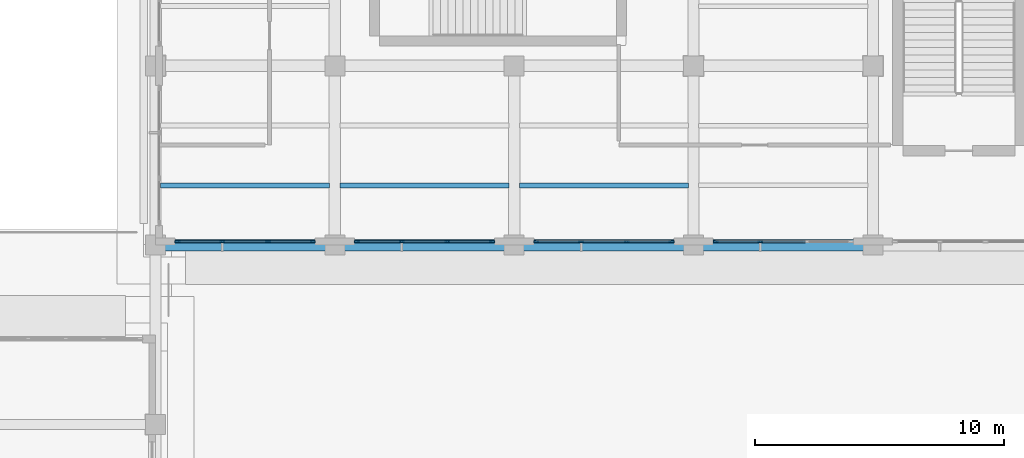
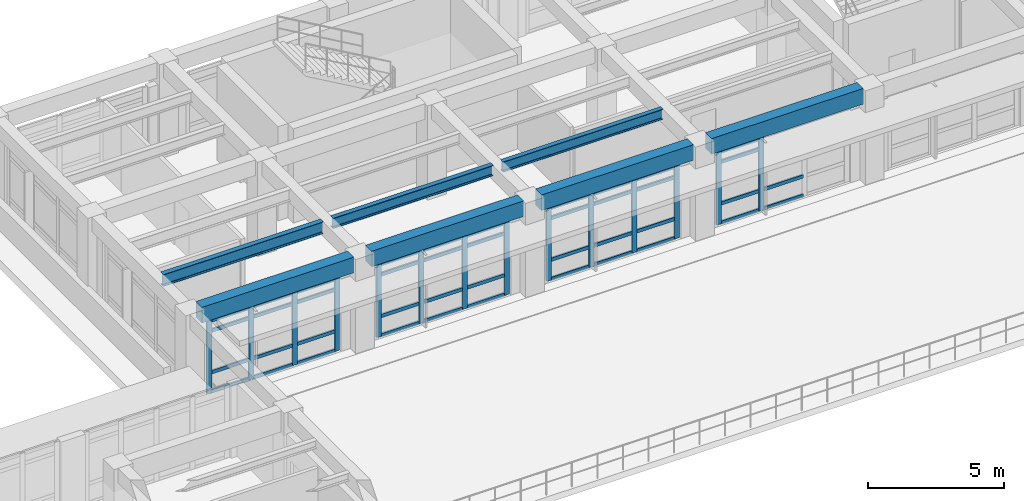
# One storey, part 15 of 67: 56 members, 7 beams, 4 elements without a shape of their own.
"""IFC4 building model written with IfcOpenShell, lengths in metres."""

from ifc_helpers import new_model, si_unit, direction, frame, origin, origin_2d, place, context, subcontext, project, spatial, rectangle, i_section, extrude, material, layer, layer_set, material_profile, profile_set, type_object, element, aggregate, save


model = new_model("IFC4")

# Units and contexts
model_context = context("Model", 3, precision=1e-05, world=origin(), true_north=direction((0.0, 1.0)))
body_context = subcontext(model_context, "Body", "Model", "MODEL_VIEW")
ifc_project = project(units=[si_unit("LENGTHUNIT", "METRE"), si_unit("AREAUNIT", "SQUARE_METRE"), si_unit("VOLUMEUNIT", "CUBIC_METRE"), si_unit("PLANEANGLEUNIT", "RADIAN"), si_unit("MASSUNIT", "GRAM", prefix="KILO")], contexts=[model_context])

# Site, building, storey
site_placement = place(None, origin())
site = spatial("IfcSite", under=ifc_project, at=site_placement, CompositionType="ELEMENT")
building_placement = place(site_placement, origin())
building = spatial("IfcBuilding", under=site, at=building_placement, Name="Solenvale Faculty of Natural Sciences", CompositionType="ELEMENT")
storey_placement = place(building_placement, frame((0.0, 0.0, 13.5)))
storey = spatial("IfcBuildingStorey", under=building, at=storey_placement, Name="L03", CompositionType="ELEMENT", Elevation=13.5)

# Beams
ifc_material_1 = material(Name="Concrete 40 MPa", Category="concrete")
ifc_material_profile_1 = material_profile(ifc_material_1, rectangle(XDim=0.449951171875, YDim=0.699951171875, at=origin_2d()), Name="RC-BM-450x700")
ifc_profile_set_1 = profile_set([ifc_material_profile_1], Name="Concrete 40 MPa")
beam_type_1 = type_object("IfcBeamType", Name="BM-RC-450x700", PredefinedType="BEAM", material=ifc_profile_set_1)
for number, where, z_axis, x_axis, name in (
    (1, (115.580078125, 43.199951171875, 3.8701171875), (1.0, 0.0, 0.0), (0.0, 1.0, 0.0), "L03 X-Girder Y43.2 (115.2..122.4)"),
    (2, (122.780029296875, 43.199951171875, 3.8701171875), (1.0, 0.0, 0.0), (0.0, 1.0, 0.0), "L03 X-Girder Y43.2 (122.4..129.6)"),
    (3, (129.97998046875, 43.199951171875, 3.8701171875), (1.0, 0.0, 0.0), (0.0, 1.0, 0.0), "L03 X-Girder Y43.2 (129.6..136.8)"),
):
    element("IfcBeam", number, at=place(storey_placement, frame(where, z_axis=z_axis, x_axis=x_axis)), inside=storey, type_object=beam_type_1, Name=name, PredefinedType="BEAM", context=body_context, shape_type="SweptSolid", body=[
        extrude(rectangle(XDim=0.449951171875, YDim=0.699951171875, at=origin_2d()), origin(), (0.0, 0.0, 1.0), 6.43994140625),
    ])
beam_1_placement = place(storey_placement, frame((137.179931640625, 43.199951171875, 3.8701171875), z_axis=(1.0, 0.0, 0.0), x_axis=(0.0, 1.0, 0.0)))
element("IfcBeam", 4, at=beam_1_placement, inside=storey, type_object=beam_type_1, Name="L03 X-Girder Y43.2 (136.8..144.0)", PredefinedType="BEAM", context=body_context, shape_type="SweptSolid", body=[
    extrude(rectangle(XDim=0.449951171875, YDim=0.699951171875, at=origin_2d()), origin(), (0.0, 0.0, 1.0), 6.440185546875),
])
ifc_material_2 = material(Name="Steel S355", Category="steel")
ifc_material_profile_2 = material_profile(ifc_material_2, i_section(OverallWidth=0.194091796875, OverallDepth=0.468994140625, WebThickness=0.0126953125, FlangeThickness=0.0205078125, FilletRadius=0.01806640625, at=origin_2d()), Name="W460x106")
ifc_profile_set_2 = profile_set([ifc_material_profile_2], Name="Steel S355")
beam_type_2 = type_object("IfcBeamType", Name="BM-STL-W460x106", PredefinedType="JOIST", material=ifc_profile_set_2)
beam_2_placement = place(storey_placement, frame((122.60498046875, 45.60009765625, 3.985595703125), z_axis=(1.0, 0.0, 0.0), x_axis=(0.0, 1.0, 0.0)))
element("IfcBeam", 5, at=beam_2_placement, inside=storey, type_object=beam_type_2, Name="L03 Composite Floor Joist (18,7).1", PredefinedType="JOIST", context=body_context, shape_type="SweptSolid", body=[
    extrude(i_section(OverallWidth=0.194091796875, OverallDepth=0.468994140625, WebThickness=0.0126953125, FlangeThickness=0.0205078125, FilletRadius=0.01806640625, at=origin_2d()), origin(), (0.0, 0.0, 1.0), 6.7900390625),
])
ifc_material_profile_3 = material_profile(ifc_material_2, i_section(OverallWidth=0.19091796875, OverallDepth=0.4599609375, WebThickness=0.010009765625, FlangeThickness=0.01611328125, FilletRadius=0.01806640625, at=origin_2d()), Name="W460x82")
ifc_profile_set_3 = profile_set([ifc_material_profile_3], Name="Steel S355")
beam_type_3 = type_object("IfcBeamType", Name="BM-STL-W460x82", PredefinedType="JOIST", material=ifc_profile_set_3)
beam_3_placement = place(storey_placement, frame((129.804931640625, 45.60009765625, 3.989990234375), z_axis=(1.0, 0.0, 0.0), x_axis=(0.0, 1.0, 0.0)))
element("IfcBeam", 6, at=beam_3_placement, inside=storey, type_object=beam_type_3, Name="L03 Composite Floor Joist (19,7).1", PredefinedType="JOIST", context=body_context, shape_type="SweptSolid", body=[
    extrude(i_section(OverallWidth=0.19091796875, OverallDepth=0.4599609375, WebThickness=0.010009765625, FlangeThickness=0.01611328125, FilletRadius=0.01806640625, at=origin_2d()), origin(), (0.0, 0.0, 1.0), 6.7900390625),
])
ifc_material_profile_4 = material_profile(ifc_material_2, i_section(OverallWidth=0.208984375, OverallDepth=0.532958984375, WebThickness=0.01025390625, FlangeThickness=0.015625, FilletRadius=0.01904296875, at=origin_2d()), Name="W530x92")
ifc_profile_set_4 = profile_set([ifc_material_profile_4], Name="Steel S355")
beam_type_4 = type_object("IfcBeamType", Name="BM-STL-W530x92", PredefinedType="JOIST", material=ifc_profile_set_4)
beam_4_placement = place(storey_placement, frame((115.405029296875, 45.60009765625, 3.95361328125), z_axis=(1.0, 0.0, 0.0), x_axis=(0.0, 1.0, 0.0)))
element("IfcBeam", 7, at=beam_4_placement, inside=storey, type_object=beam_type_4, Name="L03 Composite Floor Joist (17,7).1", PredefinedType="JOIST", context=body_context, shape_type="SweptSolid", body=[
    extrude(i_section(OverallWidth=0.208984375, OverallDepth=0.532958984375, WebThickness=0.01025390625, FlangeThickness=0.015625, FilletRadius=0.01904296875, at=origin_2d()), origin(), (0.0, 0.0, 1.0), 6.7900390625),
])

# Curtain wall, members
ifc_material_3 = material(Name="Anodised bronze aluminium", Category="aluminium")
ifc_layer = layer(ifc_material_3, 0.199951171875)
ifc_layer_set = layer_set([ifc_layer], Name="Anodised bronze aluminium")
curtain_wall_type = type_object("IfcCurtainWallType", Name="CW-COM-FIN", PredefinedType="USERDEFINED", material=ifc_layer_set)
curtain_wall_1_placement = place(storey_placement, origin())
curtain_wall_1 = element("IfcCurtainWall", 8, at=curtain_wall_1_placement, inside=storey, type_object=curtain_wall_type, Name="L03 Curtain Wall CW-L03-P2-E1-B1", ObjectType="UNITISED CURTAIN WALL", PredefinedType="USERDEFINED")
ifc_material_profile_5 = material_profile(ifc_material_3, rectangle(XDim=0.074951171875, YDim=0.2099609375, at=origin_2d()), Name="ALU-MUL-75x210")
ifc_profile_set_5 = profile_set([ifc_material_profile_5], Name="Anodised bronze aluminium")
member_type_1 = type_object("IfcMemberType", Name="CWM-ALU-75x210", PredefinedType="MULLION", material=ifc_profile_set_5)
member_1_placement = place(storey_placement, frame((116.08740234375, 43.342529296875, 0.0), z_axis=(0.0, 0.0, 1.0), x_axis=(0.0, 1.0, 0.0)))
member_1 = element("IfcMember", 9, at=member_1_placement, type_object=member_type_1, Name="CW-03 mullion 1", PredefinedType="MULLION", context=body_context, shape_type="SweptSolid", body=[
    extrude(rectangle(XDim=0.074951171875, YDim=0.2099609375, at=origin_2d()), origin(), (0.0, 0.0, 1.0), 3.260009765625),
])
member_2_placement = place(storey_placement, frame((117.88330078125, 43.342529296875, 0.0), z_axis=(0.0, 0.0, 1.0), x_axis=(0.0, 1.0, 0.0)))
member_2 = element("IfcMember", 10, at=member_2_placement, type_object=member_type_1, Name="CW-03 mullion 2", PredefinedType="MULLION", context=body_context, shape_type="SweptSolid", body=[
    extrude(rectangle(XDim=0.074951171875, YDim=0.2099609375, at=origin_2d()), origin(), (0.0, 0.0, 1.0), 3.260009765625),
])
member_3_placement = place(storey_placement, frame((119.716552734375, 43.342529296875, 0.0), z_axis=(0.0, 0.0, 1.0), x_axis=(0.0, 1.0, 0.0)))
member_3 = element("IfcMember", 11, at=member_3_placement, type_object=member_type_1, Name="CW-03 mullion 3", PredefinedType="MULLION", context=body_context, shape_type="SweptSolid", body=[
    extrude(rectangle(XDim=0.074951171875, YDim=0.2099609375, at=origin_2d()), origin(), (0.0, 0.0, 1.0), 3.260009765625),
])
member_4_placement = place(storey_placement, frame((121.512451171875, 43.342529296875, 0.0), z_axis=(0.0, 0.0, 1.0), x_axis=(0.0, 1.0, 0.0)))
member_4 = element("IfcMember", 12, at=member_4_placement, type_object=member_type_1, Name="CW-03 mullion 4", PredefinedType="MULLION", context=body_context, shape_type="SweptSolid", body=[
    extrude(rectangle(XDim=0.074951171875, YDim=0.2099609375, at=origin_2d()), origin(), (0.0, 0.0, 1.0), 3.260009765625),
])

curtain_wall_2_placement = place(storey_placement, origin())
curtain_wall_2 = element("IfcCurtainWall", 13, at=curtain_wall_2_placement, inside=storey, type_object=curtain_wall_type, Name="L03 Curtain Wall CW-L03-P2-E1-B2", ObjectType="UNITISED CURTAIN WALL", PredefinedType="USERDEFINED")
member_5_placement = place(storey_placement, frame((123.28759765625, 43.342529296875, 0.0), z_axis=(0.0, 0.0, 1.0), x_axis=(0.0, 1.0, 0.0)))
member_5 = element("IfcMember", 14, at=member_5_placement, type_object=member_type_1, Name="CW-03 mullion 1", PredefinedType="MULLION", context=body_context, shape_type="SweptSolid", body=[
    extrude(rectangle(XDim=0.074951171875, YDim=0.2099609375, at=origin_2d()), origin(), (0.0, 0.0, 1.0), 3.260009765625),
])
member_6_placement = place(storey_placement, frame((125.083251953125, 43.342529296875, 0.0), z_axis=(0.0, 0.0, 1.0), x_axis=(0.0, 1.0, 0.0)))
member_6 = element("IfcMember", 15, at=member_6_placement, type_object=member_type_1, Name="CW-03 mullion 2", PredefinedType="MULLION", context=body_context, shape_type="SweptSolid", body=[
    extrude(rectangle(XDim=0.074951171875, YDim=0.2099609375, at=origin_2d()), origin(), (0.0, 0.0, 1.0), 3.260009765625),
])
member_7_placement = place(storey_placement, frame((126.916748046875, 43.342529296875, 0.0), z_axis=(0.0, 0.0, 1.0), x_axis=(0.0, 1.0, 0.0)))
member_7 = element("IfcMember", 16, at=member_7_placement, type_object=member_type_1, Name="CW-03 mullion 3", PredefinedType="MULLION", context=body_context, shape_type="SweptSolid", body=[
    extrude(rectangle(XDim=0.074951171875, YDim=0.2099609375, at=origin_2d()), origin(), (0.0, 0.0, 1.0), 3.260009765625),
])
member_8_placement = place(storey_placement, frame((128.71240234375, 43.342529296875, 0.0), z_axis=(0.0, 0.0, 1.0), x_axis=(0.0, 1.0, 0.0)))
member_8 = element("IfcMember", 17, at=member_8_placement, type_object=member_type_1, Name="CW-03 mullion 4", PredefinedType="MULLION", context=body_context, shape_type="SweptSolid", body=[
    extrude(rectangle(XDim=0.074951171875, YDim=0.2099609375, at=origin_2d()), origin(), (0.0, 0.0, 1.0), 3.260009765625),
])

curtain_wall_3_placement = place(storey_placement, origin())
curtain_wall_3 = element("IfcCurtainWall", 18, at=curtain_wall_3_placement, inside=storey, type_object=curtain_wall_type, Name="L03 Curtain Wall CW-L03-P2-E1-B3", ObjectType="UNITISED CURTAIN WALL", PredefinedType="USERDEFINED")
member_9_placement = place(storey_placement, frame((130.487548828125, 43.342529296875, 0.0), z_axis=(0.0, 0.0, 1.0), x_axis=(0.0, 1.0, 0.0)))
member_9 = element("IfcMember", 19, at=member_9_placement, type_object=member_type_1, Name="CW-03 mullion 1", PredefinedType="MULLION", context=body_context, shape_type="SweptSolid", body=[
    extrude(rectangle(XDim=0.074951171875, YDim=0.2099609375, at=origin_2d()), origin(), (0.0, 0.0, 1.0), 3.260009765625),
])
member_10_placement = place(storey_placement, frame((132.283447265625, 43.342529296875, 0.0), z_axis=(0.0, 0.0, 1.0), x_axis=(0.0, 1.0, 0.0)))
member_10 = element("IfcMember", 20, at=member_10_placement, type_object=member_type_1, Name="CW-03 mullion 2", PredefinedType="MULLION", context=body_context, shape_type="SweptSolid", body=[
    extrude(rectangle(XDim=0.074951171875, YDim=0.2099609375, at=origin_2d()), origin(), (0.0, 0.0, 1.0), 3.260009765625),
])
member_11_placement = place(storey_placement, frame((134.11669921875, 43.342529296875, 0.0), z_axis=(0.0, 0.0, 1.0), x_axis=(0.0, 1.0, 0.0)))
member_11 = element("IfcMember", 21, at=member_11_placement, type_object=member_type_1, Name="CW-03 mullion 3", PredefinedType="MULLION", context=body_context, shape_type="SweptSolid", body=[
    extrude(rectangle(XDim=0.074951171875, YDim=0.2099609375, at=origin_2d()), origin(), (0.0, 0.0, 1.0), 3.260009765625),
])
member_12_placement = place(storey_placement, frame((135.91259765625, 43.342529296875, 0.0), z_axis=(0.0, 0.0, 1.0), x_axis=(0.0, 1.0, 0.0)))
member_12 = element("IfcMember", 22, at=member_12_placement, type_object=member_type_1, Name="CW-03 mullion 4", PredefinedType="MULLION", context=body_context, shape_type="SweptSolid", body=[
    extrude(rectangle(XDim=0.074951171875, YDim=0.2099609375, at=origin_2d()), origin(), (0.0, 0.0, 1.0), 3.260009765625),
])

curtain_wall_4_placement = place(storey_placement, origin())
curtain_wall_4 = element("IfcCurtainWall", 23, at=curtain_wall_4_placement, inside=storey, type_object=curtain_wall_type, Name="L03 Curtain Wall CW-L03-P2-E1-B4", ObjectType="UNITISED CURTAIN WALL", PredefinedType="USERDEFINED")
member_13_placement = place(storey_placement, frame((137.6875, 43.342529296875, 0.0), z_axis=(0.0, 0.0, 1.0), x_axis=(0.0, 1.0, 0.0)))
member_13 = element("IfcMember", 24, at=member_13_placement, type_object=member_type_1, Name="CW-03 mullion 1", PredefinedType="MULLION", context=body_context, shape_type="SweptSolid", body=[
    extrude(rectangle(XDim=0.074951171875, YDim=0.2099609375, at=origin_2d()), origin(), (0.0, 0.0, 1.0), 3.260009765625),
])
member_14_placement = place(storey_placement, frame((139.4833984375, 43.342529296875, 0.0), z_axis=(0.0, 0.0, 1.0), x_axis=(0.0, 1.0, 0.0)))
member_14 = element("IfcMember", 25, at=member_14_placement, type_object=member_type_1, Name="CW-03 mullion 2", PredefinedType="MULLION", context=body_context, shape_type="SweptSolid", body=[
    extrude(rectangle(XDim=0.074951171875, YDim=0.2099609375, at=origin_2d()), origin(), (0.0, 0.0, 1.0), 3.260009765625),
])

# Member
ifc_material_profile_6 = material_profile(ifc_material_3, rectangle(XDim=0.074951171875, YDim=0.155029296875, at=origin_2d()), Name="ALU-TRN-75x155")
ifc_profile_set_6 = profile_set([ifc_material_profile_6], Name="Anodised bronze aluminium")
member_type_2 = type_object("IfcMemberType", Name="CWT-ALU-75x155", PredefinedType="USERDEFINED", material=ifc_profile_set_6)
member_15_placement = place(storey_placement, frame((116.125, 43.342529296875, 0.03759765625), z_axis=(1.0, 0.0, 0.0), x_axis=(0.0, 1.0, 0.0)))
member_15 = element("IfcMember", 26, at=member_15_placement, type_object=member_type_2, Name="CW-03 transom 1.1", ObjectType="TRANSOM", PredefinedType="USERDEFINED", context=body_context, shape_type="SweptSolid", body=[
    extrude(rectangle(XDim=0.074951171875, YDim=0.155029296875, at=origin_2d()), origin(), (0.0, 0.0, 1.0), 1.720947265625),
])

member_16_placement = place(storey_placement, frame((116.125, 43.342529296875, 0.89990234375), z_axis=(1.0, 0.0, 0.0), x_axis=(0.0, 1.0, 0.0)))
member_16 = element("IfcMember", 27, at=member_16_placement, type_object=member_type_2, Name="CW-03 transom 1.2", ObjectType="TRANSOM", PredefinedType="USERDEFINED", context=body_context, shape_type="SweptSolid", body=[
    extrude(rectangle(XDim=0.074951171875, YDim=0.155029296875, at=origin_2d()), origin(), (0.0, 0.0, 1.0), 1.720947265625),
])

member_17_placement = place(storey_placement, frame((116.125, 43.342529296875, 2.760009765625), z_axis=(1.0, 0.0, 0.0), x_axis=(0.0, 1.0, 0.0)))
member_17 = element("IfcMember", 28, at=member_17_placement, type_object=member_type_2, Name="CW-03 transom 1.3", ObjectType="TRANSOM", PredefinedType="USERDEFINED", context=body_context, shape_type="SweptSolid", body=[
    extrude(rectangle(XDim=0.074951171875, YDim=0.155029296875, at=origin_2d()), origin(), (0.0, 0.0, 1.0), 1.720947265625),
])

member_18_placement = place(storey_placement, frame((116.125, 43.342529296875, 3.222412109375), z_axis=(1.0, 0.0, 0.0), x_axis=(0.0, 1.0, 0.0)))
member_18 = element("IfcMember", 29, at=member_18_placement, type_object=member_type_2, Name="CW-03 transom 1.4", ObjectType="TRANSOM", PredefinedType="USERDEFINED", context=body_context, shape_type="SweptSolid", body=[
    extrude(rectangle(XDim=0.074951171875, YDim=0.155029296875, at=origin_2d()), origin(), (0.0, 0.0, 1.0), 1.720947265625),
])

member_19_placement = place(storey_placement, frame((117.9208984375, 43.342529296875, 0.03759765625), z_axis=(1.0, 0.0, 0.0), x_axis=(0.0, 1.0, 0.0)))
member_19 = element("IfcMember", 30, at=member_19_placement, type_object=member_type_2, Name="CW-03 transom 2.1", ObjectType="TRANSOM", PredefinedType="USERDEFINED", context=body_context, shape_type="SweptSolid", body=[
    extrude(rectangle(XDim=0.074951171875, YDim=0.155029296875, at=origin_2d()), origin(), (0.0, 0.0, 1.0), 1.75830078125),
])

member_20_placement = place(storey_placement, frame((117.9208984375, 43.342529296875, 0.89990234375), z_axis=(1.0, 0.0, 0.0), x_axis=(0.0, 1.0, 0.0)))
member_20 = element("IfcMember", 31, at=member_20_placement, type_object=member_type_2, Name="CW-03 transom 2.2", ObjectType="TRANSOM", PredefinedType="USERDEFINED", context=body_context, shape_type="SweptSolid", body=[
    extrude(rectangle(XDim=0.074951171875, YDim=0.155029296875, at=origin_2d()), origin(), (0.0, 0.0, 1.0), 1.75830078125),
])

member_21_placement = place(storey_placement, frame((117.9208984375, 43.342529296875, 2.760009765625), z_axis=(1.0, 0.0, 0.0), x_axis=(0.0, 1.0, 0.0)))
member_21 = element("IfcMember", 32, at=member_21_placement, type_object=member_type_2, Name="CW-03 transom 2.3", ObjectType="TRANSOM", PredefinedType="USERDEFINED", context=body_context, shape_type="SweptSolid", body=[
    extrude(rectangle(XDim=0.074951171875, YDim=0.155029296875, at=origin_2d()), origin(), (0.0, 0.0, 1.0), 1.75830078125),
])

member_22_placement = place(storey_placement, frame((117.9208984375, 43.342529296875, 3.222412109375), z_axis=(1.0, 0.0, 0.0), x_axis=(0.0, 1.0, 0.0)))
member_22 = element("IfcMember", 33, at=member_22_placement, type_object=member_type_2, Name="CW-03 transom 2.4", ObjectType="TRANSOM", PredefinedType="USERDEFINED", context=body_context, shape_type="SweptSolid", body=[
    extrude(rectangle(XDim=0.074951171875, YDim=0.155029296875, at=origin_2d()), origin(), (0.0, 0.0, 1.0), 1.75830078125),
])

member_23_placement = place(storey_placement, frame((119.754150390625, 43.342529296875, 0.03759765625), z_axis=(1.0, 0.0, 0.0), x_axis=(0.0, 1.0, 0.0)))
member_23 = element("IfcMember", 34, at=member_23_placement, type_object=member_type_2, Name="CW-03 transom 3.1", ObjectType="TRANSOM", PredefinedType="USERDEFINED", context=body_context, shape_type="SweptSolid", body=[
    extrude(rectangle(XDim=0.074951171875, YDim=0.155029296875, at=origin_2d()), origin(), (0.0, 0.0, 1.0), 1.720947265625),
])

member_24_placement = place(storey_placement, frame((119.754150390625, 43.342529296875, 0.89990234375), z_axis=(1.0, 0.0, 0.0), x_axis=(0.0, 1.0, 0.0)))
member_24 = element("IfcMember", 35, at=member_24_placement, type_object=member_type_2, Name="CW-03 transom 3.2", ObjectType="TRANSOM", PredefinedType="USERDEFINED", context=body_context, shape_type="SweptSolid", body=[
    extrude(rectangle(XDim=0.074951171875, YDim=0.155029296875, at=origin_2d()), origin(), (0.0, 0.0, 1.0), 1.720947265625),
])

member_25_placement = place(storey_placement, frame((119.754150390625, 43.342529296875, 2.760009765625), z_axis=(1.0, 0.0, 0.0), x_axis=(0.0, 1.0, 0.0)))
member_25 = element("IfcMember", 36, at=member_25_placement, type_object=member_type_2, Name="CW-03 transom 3.3", ObjectType="TRANSOM", PredefinedType="USERDEFINED", context=body_context, shape_type="SweptSolid", body=[
    extrude(rectangle(XDim=0.074951171875, YDim=0.155029296875, at=origin_2d()), origin(), (0.0, 0.0, 1.0), 1.720947265625),
])

member_26_placement = place(storey_placement, frame((119.754150390625, 43.342529296875, 3.222412109375), z_axis=(1.0, 0.0, 0.0), x_axis=(0.0, 1.0, 0.0)))
member_26 = element("IfcMember", 37, at=member_26_placement, type_object=member_type_2, Name="CW-03 transom 3.4", ObjectType="TRANSOM", PredefinedType="USERDEFINED", context=body_context, shape_type="SweptSolid", body=[
    extrude(rectangle(XDim=0.074951171875, YDim=0.155029296875, at=origin_2d()), origin(), (0.0, 0.0, 1.0), 1.720947265625),
])

aggregate(curtain_wall_1, [member_1, member_2, member_3, member_4, member_15, member_16, member_17, member_18, member_19, member_20, member_21, member_22, member_23, member_24, member_25, member_26])

member_27_placement = place(storey_placement, frame((123.324951171875, 43.342529296875, 0.03759765625), z_axis=(1.0, 0.0, 0.0), x_axis=(0.0, 1.0, 0.0)))
member_27 = element("IfcMember", 38, at=member_27_placement, type_object=member_type_2, Name="CW-03 transom 1.1", ObjectType="TRANSOM", PredefinedType="USERDEFINED", context=body_context, shape_type="SweptSolid", body=[
    extrude(rectangle(XDim=0.074951171875, YDim=0.155029296875, at=origin_2d()), origin(), (0.0, 0.0, 1.0), 1.720947265625),
])

member_28_placement = place(storey_placement, frame((123.324951171875, 43.342529296875, 0.89990234375), z_axis=(1.0, 0.0, 0.0), x_axis=(0.0, 1.0, 0.0)))
member_28 = element("IfcMember", 39, at=member_28_placement, type_object=member_type_2, Name="CW-03 transom 1.2", ObjectType="TRANSOM", PredefinedType="USERDEFINED", context=body_context, shape_type="SweptSolid", body=[
    extrude(rectangle(XDim=0.074951171875, YDim=0.155029296875, at=origin_2d()), origin(), (0.0, 0.0, 1.0), 1.720947265625),
])

member_29_placement = place(storey_placement, frame((123.324951171875, 43.342529296875, 2.760009765625), z_axis=(1.0, 0.0, 0.0), x_axis=(0.0, 1.0, 0.0)))
member_29 = element("IfcMember", 40, at=member_29_placement, type_object=member_type_2, Name="CW-03 transom 1.3", ObjectType="TRANSOM", PredefinedType="USERDEFINED", context=body_context, shape_type="SweptSolid", body=[
    extrude(rectangle(XDim=0.074951171875, YDim=0.155029296875, at=origin_2d()), origin(), (0.0, 0.0, 1.0), 1.720947265625),
])

member_30_placement = place(storey_placement, frame((123.324951171875, 43.342529296875, 3.222412109375), z_axis=(1.0, 0.0, 0.0), x_axis=(0.0, 1.0, 0.0)))
member_30 = element("IfcMember", 41, at=member_30_placement, type_object=member_type_2, Name="CW-03 transom 1.4", ObjectType="TRANSOM", PredefinedType="USERDEFINED", context=body_context, shape_type="SweptSolid", body=[
    extrude(rectangle(XDim=0.074951171875, YDim=0.155029296875, at=origin_2d()), origin(), (0.0, 0.0, 1.0), 1.720947265625),
])

member_31_placement = place(storey_placement, frame((125.120849609375, 43.342529296875, 0.03759765625), z_axis=(1.0, 0.0, 0.0), x_axis=(0.0, 1.0, 0.0)))
member_31 = element("IfcMember", 42, at=member_31_placement, type_object=member_type_2, Name="CW-03 transom 2.1", ObjectType="TRANSOM", PredefinedType="USERDEFINED", context=body_context, shape_type="SweptSolid", body=[
    extrude(rectangle(XDim=0.074951171875, YDim=0.155029296875, at=origin_2d()), origin(), (0.0, 0.0, 1.0), 1.75830078125),
])

member_32_placement = place(storey_placement, frame((125.120849609375, 43.342529296875, 0.89990234375), z_axis=(1.0, 0.0, 0.0), x_axis=(0.0, 1.0, 0.0)))
member_32 = element("IfcMember", 43, at=member_32_placement, type_object=member_type_2, Name="CW-03 transom 2.2", ObjectType="TRANSOM", PredefinedType="USERDEFINED", context=body_context, shape_type="SweptSolid", body=[
    extrude(rectangle(XDim=0.074951171875, YDim=0.155029296875, at=origin_2d()), origin(), (0.0, 0.0, 1.0), 1.75830078125),
])

member_33_placement = place(storey_placement, frame((125.120849609375, 43.342529296875, 2.760009765625), z_axis=(1.0, 0.0, 0.0), x_axis=(0.0, 1.0, 0.0)))
member_33 = element("IfcMember", 44, at=member_33_placement, type_object=member_type_2, Name="CW-03 transom 2.3", ObjectType="TRANSOM", PredefinedType="USERDEFINED", context=body_context, shape_type="SweptSolid", body=[
    extrude(rectangle(XDim=0.074951171875, YDim=0.155029296875, at=origin_2d()), origin(), (0.0, 0.0, 1.0), 1.75830078125),
])

member_34_placement = place(storey_placement, frame((125.120849609375, 43.342529296875, 3.222412109375), z_axis=(1.0, 0.0, 0.0), x_axis=(0.0, 1.0, 0.0)))
member_34 = element("IfcMember", 45, at=member_34_placement, type_object=member_type_2, Name="CW-03 transom 2.4", ObjectType="TRANSOM", PredefinedType="USERDEFINED", context=body_context, shape_type="SweptSolid", body=[
    extrude(rectangle(XDim=0.074951171875, YDim=0.155029296875, at=origin_2d()), origin(), (0.0, 0.0, 1.0), 1.75830078125),
])

member_35_placement = place(storey_placement, frame((126.9541015625, 43.342529296875, 0.03759765625), z_axis=(1.0, 0.0, 0.0), x_axis=(0.0, 1.0, 0.0)))
member_35 = element("IfcMember", 46, at=member_35_placement, type_object=member_type_2, Name="CW-03 transom 3.1", ObjectType="TRANSOM", PredefinedType="USERDEFINED", context=body_context, shape_type="SweptSolid", body=[
    extrude(rectangle(XDim=0.074951171875, YDim=0.155029296875, at=origin_2d()), origin(), (0.0, 0.0, 1.0), 1.720947265625),
])

member_36_placement = place(storey_placement, frame((126.9541015625, 43.342529296875, 0.89990234375), z_axis=(1.0, 0.0, 0.0), x_axis=(0.0, 1.0, 0.0)))
member_36 = element("IfcMember", 47, at=member_36_placement, type_object=member_type_2, Name="CW-03 transom 3.2", ObjectType="TRANSOM", PredefinedType="USERDEFINED", context=body_context, shape_type="SweptSolid", body=[
    extrude(rectangle(XDim=0.074951171875, YDim=0.155029296875, at=origin_2d()), origin(), (0.0, 0.0, 1.0), 1.720947265625),
])

member_37_placement = place(storey_placement, frame((126.9541015625, 43.342529296875, 2.760009765625), z_axis=(1.0, 0.0, 0.0), x_axis=(0.0, 1.0, 0.0)))
member_37 = element("IfcMember", 48, at=member_37_placement, type_object=member_type_2, Name="CW-03 transom 3.3", ObjectType="TRANSOM", PredefinedType="USERDEFINED", context=body_context, shape_type="SweptSolid", body=[
    extrude(rectangle(XDim=0.074951171875, YDim=0.155029296875, at=origin_2d()), origin(), (0.0, 0.0, 1.0), 1.720947265625),
])

member_38_placement = place(storey_placement, frame((126.9541015625, 43.342529296875, 3.222412109375), z_axis=(1.0, 0.0, 0.0), x_axis=(0.0, 1.0, 0.0)))
member_38 = element("IfcMember", 49, at=member_38_placement, type_object=member_type_2, Name="CW-03 transom 3.4", ObjectType="TRANSOM", PredefinedType="USERDEFINED", context=body_context, shape_type="SweptSolid", body=[
    extrude(rectangle(XDim=0.074951171875, YDim=0.155029296875, at=origin_2d()), origin(), (0.0, 0.0, 1.0), 1.720947265625),
])

aggregate(curtain_wall_2, [member_5, member_6, member_7, member_8, member_27, member_28, member_29, member_30, member_31, member_32, member_33, member_34, member_35, member_36, member_37, member_38])

member_39_placement = place(storey_placement, frame((130.52490234375, 43.342529296875, 0.03759765625), z_axis=(1.0, 0.0, 0.0), x_axis=(0.0, 1.0, 0.0)))
member_39 = element("IfcMember", 50, at=member_39_placement, type_object=member_type_2, Name="CW-03 transom 1.1", ObjectType="TRANSOM", PredefinedType="USERDEFINED", context=body_context, shape_type="SweptSolid", body=[
    extrude(rectangle(XDim=0.074951171875, YDim=0.155029296875, at=origin_2d()), origin(), (0.0, 0.0, 1.0), 1.720947265625),
])

member_40_placement = place(storey_placement, frame((130.52490234375, 43.342529296875, 0.89990234375), z_axis=(1.0, 0.0, 0.0), x_axis=(0.0, 1.0, 0.0)))
member_40 = element("IfcMember", 51, at=member_40_placement, type_object=member_type_2, Name="CW-03 transom 1.2", ObjectType="TRANSOM", PredefinedType="USERDEFINED", context=body_context, shape_type="SweptSolid", body=[
    extrude(rectangle(XDim=0.074951171875, YDim=0.155029296875, at=origin_2d()), origin(), (0.0, 0.0, 1.0), 1.720947265625),
])

member_41_placement = place(storey_placement, frame((130.52490234375, 43.342529296875, 2.760009765625), z_axis=(1.0, 0.0, 0.0), x_axis=(0.0, 1.0, 0.0)))
member_41 = element("IfcMember", 52, at=member_41_placement, type_object=member_type_2, Name="CW-03 transom 1.3", ObjectType="TRANSOM", PredefinedType="USERDEFINED", context=body_context, shape_type="SweptSolid", body=[
    extrude(rectangle(XDim=0.074951171875, YDim=0.155029296875, at=origin_2d()), origin(), (0.0, 0.0, 1.0), 1.720947265625),
])

member_42_placement = place(storey_placement, frame((130.52490234375, 43.342529296875, 3.222412109375), z_axis=(1.0, 0.0, 0.0), x_axis=(0.0, 1.0, 0.0)))
member_42 = element("IfcMember", 53, at=member_42_placement, type_object=member_type_2, Name="CW-03 transom 1.4", ObjectType="TRANSOM", PredefinedType="USERDEFINED", context=body_context, shape_type="SweptSolid", body=[
    extrude(rectangle(XDim=0.074951171875, YDim=0.155029296875, at=origin_2d()), origin(), (0.0, 0.0, 1.0), 1.720947265625),
])

member_43_placement = place(storey_placement, frame((132.32080078125, 43.342529296875, 0.03759765625), z_axis=(1.0, 0.0, 0.0), x_axis=(0.0, 1.0, 0.0)))
member_43 = element("IfcMember", 54, at=member_43_placement, type_object=member_type_2, Name="CW-03 transom 2.1", ObjectType="TRANSOM", PredefinedType="USERDEFINED", context=body_context, shape_type="SweptSolid", body=[
    extrude(rectangle(XDim=0.074951171875, YDim=0.155029296875, at=origin_2d()), origin(), (0.0, 0.0, 1.0), 1.75830078125),
])

member_44_placement = place(storey_placement, frame((132.32080078125, 43.342529296875, 0.89990234375), z_axis=(1.0, 0.0, 0.0), x_axis=(0.0, 1.0, 0.0)))
member_44 = element("IfcMember", 55, at=member_44_placement, type_object=member_type_2, Name="CW-03 transom 2.2", ObjectType="TRANSOM", PredefinedType="USERDEFINED", context=body_context, shape_type="SweptSolid", body=[
    extrude(rectangle(XDim=0.074951171875, YDim=0.155029296875, at=origin_2d()), origin(), (0.0, 0.0, 1.0), 1.75830078125),
])

member_45_placement = place(storey_placement, frame((132.32080078125, 43.342529296875, 2.760009765625), z_axis=(1.0, 0.0, 0.0), x_axis=(0.0, 1.0, 0.0)))
member_45 = element("IfcMember", 56, at=member_45_placement, type_object=member_type_2, Name="CW-03 transom 2.3", ObjectType="TRANSOM", PredefinedType="USERDEFINED", context=body_context, shape_type="SweptSolid", body=[
    extrude(rectangle(XDim=0.074951171875, YDim=0.155029296875, at=origin_2d()), origin(), (0.0, 0.0, 1.0), 1.75830078125),
])

member_46_placement = place(storey_placement, frame((132.32080078125, 43.342529296875, 3.222412109375), z_axis=(1.0, 0.0, 0.0), x_axis=(0.0, 1.0, 0.0)))
member_46 = element("IfcMember", 57, at=member_46_placement, type_object=member_type_2, Name="CW-03 transom 2.4", ObjectType="TRANSOM", PredefinedType="USERDEFINED", context=body_context, shape_type="SweptSolid", body=[
    extrude(rectangle(XDim=0.074951171875, YDim=0.155029296875, at=origin_2d()), origin(), (0.0, 0.0, 1.0), 1.75830078125),
])

member_47_placement = place(storey_placement, frame((134.154052734375, 43.342529296875, 0.03759765625), z_axis=(1.0, 0.0, 0.0), x_axis=(0.0, 1.0, 0.0)))
member_47 = element("IfcMember", 58, at=member_47_placement, type_object=member_type_2, Name="CW-03 transom 3.1", ObjectType="TRANSOM", PredefinedType="USERDEFINED", context=body_context, shape_type="SweptSolid", body=[
    extrude(rectangle(XDim=0.074951171875, YDim=0.155029296875, at=origin_2d()), origin(), (0.0, 0.0, 1.0), 1.720947265625),
])

member_48_placement = place(storey_placement, frame((134.154052734375, 43.342529296875, 0.89990234375), z_axis=(1.0, 0.0, 0.0), x_axis=(0.0, 1.0, 0.0)))
member_48 = element("IfcMember", 59, at=member_48_placement, type_object=member_type_2, Name="CW-03 transom 3.2", ObjectType="TRANSOM", PredefinedType="USERDEFINED", context=body_context, shape_type="SweptSolid", body=[
    extrude(rectangle(XDim=0.074951171875, YDim=0.155029296875, at=origin_2d()), origin(), (0.0, 0.0, 1.0), 1.720947265625),
])

member_49_placement = place(storey_placement, frame((134.154052734375, 43.342529296875, 2.760009765625), z_axis=(1.0, 0.0, 0.0), x_axis=(0.0, 1.0, 0.0)))
member_49 = element("IfcMember", 60, at=member_49_placement, type_object=member_type_2, Name="CW-03 transom 3.3", ObjectType="TRANSOM", PredefinedType="USERDEFINED", context=body_context, shape_type="SweptSolid", body=[
    extrude(rectangle(XDim=0.074951171875, YDim=0.155029296875, at=origin_2d()), origin(), (0.0, 0.0, 1.0), 1.720947265625),
])

member_50_placement = place(storey_placement, frame((134.154052734375, 43.342529296875, 3.222412109375), z_axis=(1.0, 0.0, 0.0), x_axis=(0.0, 1.0, 0.0)))
member_50 = element("IfcMember", 61, at=member_50_placement, type_object=member_type_2, Name="CW-03 transom 3.4", ObjectType="TRANSOM", PredefinedType="USERDEFINED", context=body_context, shape_type="SweptSolid", body=[
    extrude(rectangle(XDim=0.074951171875, YDim=0.155029296875, at=origin_2d()), origin(), (0.0, 0.0, 1.0), 1.720947265625),
])

aggregate(curtain_wall_3, [member_9, member_10, member_11, member_12, member_39, member_40, member_41, member_42, member_43, member_44, member_45, member_46, member_47, member_48, member_49, member_50])

member_51_placement = place(storey_placement, frame((137.72509765625, 43.342529296875, 0.03759765625), z_axis=(1.0, 0.0, 0.0), x_axis=(0.0, 1.0, 0.0)))
member_51 = element("IfcMember", 62, at=member_51_placement, type_object=member_type_2, Name="CW-03 transom 1.1", ObjectType="TRANSOM", PredefinedType="USERDEFINED", context=body_context, shape_type="SweptSolid", body=[
    extrude(rectangle(XDim=0.074951171875, YDim=0.155029296875, at=origin_2d()), origin(), (0.0, 0.0, 1.0), 1.720703125),
])

member_52_placement = place(storey_placement, frame((137.72509765625, 43.342529296875, 0.89990234375), z_axis=(1.0, 0.0, 0.0), x_axis=(0.0, 1.0, 0.0)))
member_52 = element("IfcMember", 63, at=member_52_placement, type_object=member_type_2, Name="CW-03 transom 1.2", ObjectType="TRANSOM", PredefinedType="USERDEFINED", context=body_context, shape_type="SweptSolid", body=[
    extrude(rectangle(XDim=0.074951171875, YDim=0.155029296875, at=origin_2d()), origin(), (0.0, 0.0, 1.0), 1.720703125),
])

member_53_placement = place(storey_placement, frame((137.72509765625, 43.342529296875, 2.760009765625), z_axis=(1.0, 0.0, 0.0), x_axis=(0.0, 1.0, 0.0)))
member_53 = element("IfcMember", 64, at=member_53_placement, type_object=member_type_2, Name="CW-03 transom 1.3", ObjectType="TRANSOM", PredefinedType="USERDEFINED", context=body_context, shape_type="SweptSolid", body=[
    extrude(rectangle(XDim=0.074951171875, YDim=0.155029296875, at=origin_2d()), origin(), (0.0, 0.0, 1.0), 1.720703125),
])

member_54_placement = place(storey_placement, frame((137.72509765625, 43.342529296875, 3.222412109375), z_axis=(1.0, 0.0, 0.0), x_axis=(0.0, 1.0, 0.0)))
member_54 = element("IfcMember", 65, at=member_54_placement, type_object=member_type_2, Name="CW-03 transom 1.4", ObjectType="TRANSOM", PredefinedType="USERDEFINED", context=body_context, shape_type="SweptSolid", body=[
    extrude(rectangle(XDim=0.074951171875, YDim=0.155029296875, at=origin_2d()), origin(), (0.0, 0.0, 1.0), 1.720703125),
])

member_55_placement = place(storey_placement, frame((139.520751953125, 43.342529296875, 0.03759765625), z_axis=(1.0, 0.0, 0.0), x_axis=(0.0, 1.0, 0.0)))
member_55 = element("IfcMember", 66, at=member_55_placement, type_object=member_type_2, Name="CW-03 transom 2.1", ObjectType="TRANSOM", PredefinedType="USERDEFINED", context=body_context, shape_type="SweptSolid", body=[
    extrude(rectangle(XDim=0.074951171875, YDim=0.155029296875, at=origin_2d()), origin(), (0.0, 0.0, 1.0), 1.75830078125),
])

member_56_placement = place(storey_placement, frame((139.520751953125, 43.342529296875, 0.89990234375), z_axis=(1.0, 0.0, 0.0), x_axis=(0.0, 1.0, 0.0)))
member_56 = element("IfcMember", 67, at=member_56_placement, type_object=member_type_2, Name="CW-03 transom 2.2", ObjectType="TRANSOM", PredefinedType="USERDEFINED", context=body_context, shape_type="SweptSolid", body=[
    extrude(rectangle(XDim=0.074951171875, YDim=0.155029296875, at=origin_2d()), origin(), (0.0, 0.0, 1.0), 1.75830078125),
])

aggregate(curtain_wall_4, [member_13, member_14, member_51, member_52, member_53, member_54, member_55, member_56])

save(model, "model.ifc")
